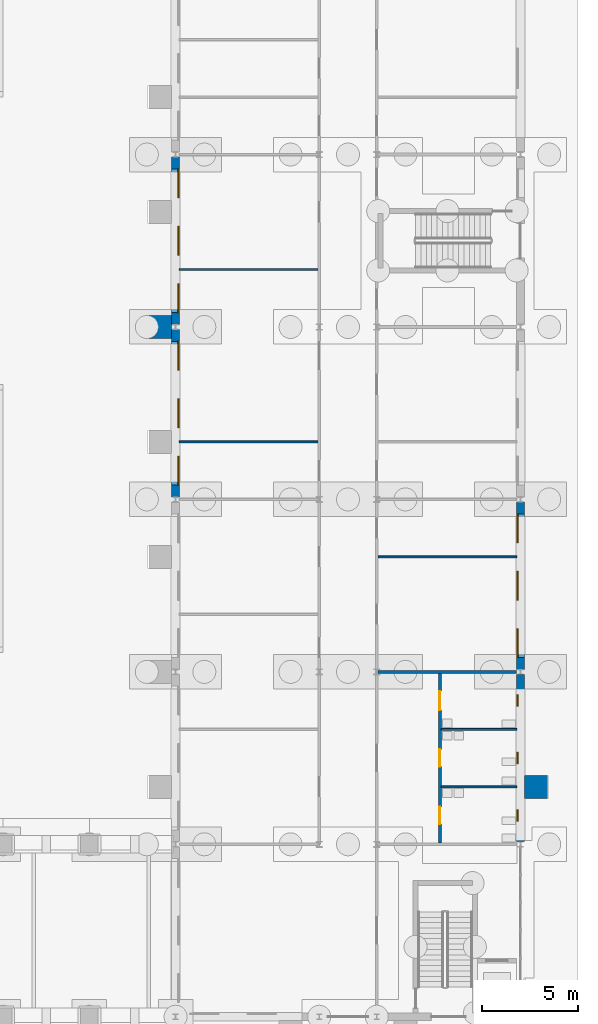
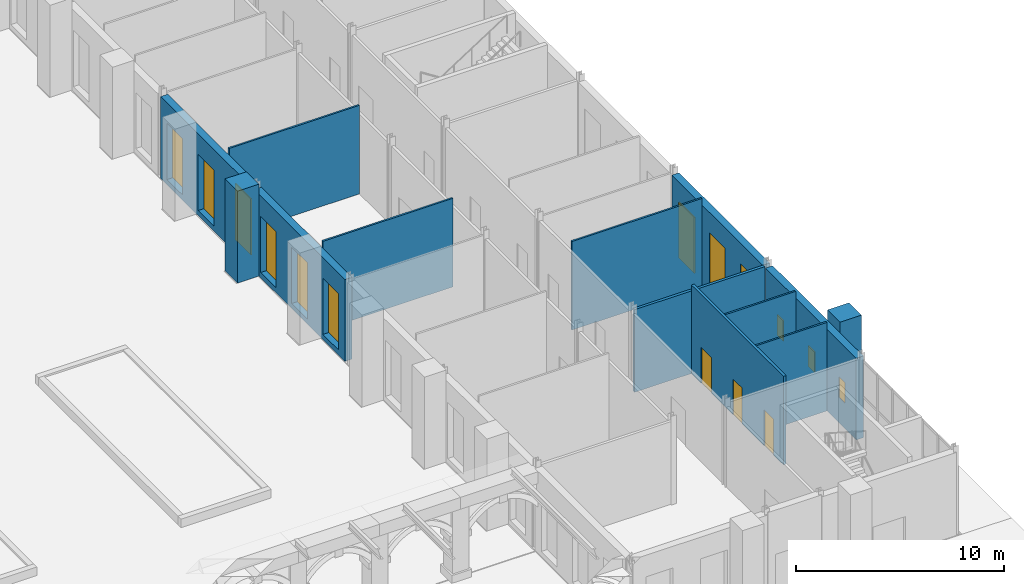
# One storey, part 102 of 168: 13 walls, 12 windows, 3 doors, 15 openings.
"""IFC4 building model written with IfcOpenShell, lengths in metres."""

from ifc_helpers import new_model, si_unit, direction, frame, frame_2d, origin, place, context, subcontext, project, spatial, rectangle, extrude, material, layer, layer_set, type_object, element, fill, save


model = new_model("IFC4")

# Units and contexts
model_context = context("Model", 3, precision=1e-05, world=origin(), true_north=direction((0.0, 1.0)))
body_context = subcontext(model_context, "Body", "Model", "MODEL_VIEW")
ifc_project = project(units=[si_unit("LENGTHUNIT", "METRE"), si_unit("AREAUNIT", "SQUARE_METRE"), si_unit("VOLUMEUNIT", "CUBIC_METRE"), si_unit("PLANEANGLEUNIT", "RADIAN"), si_unit("MASSUNIT", "GRAM", prefix="KILO")], contexts=[model_context])

# Site, building, storey
site_placement = place(None, origin())
site = spatial("IfcSite", under=ifc_project, at=site_placement, CompositionType="ELEMENT")
building_placement = place(site_placement, origin())
building = spatial("IfcBuilding", under=site, at=building_placement, Name="Golden Quay Civic Hall", CompositionType="ELEMENT")
storey_placement = place(building_placement, origin())
storey = spatial("IfcBuildingStorey", under=building, at=storey_placement, Name="L00", CompositionType="ELEMENT", Elevation=0.0)

# Wall, openings, windows
ifc_material_1 = material(Name="Brick, dark clay facing", Category="masonry")
ifc_layer_1 = layer(ifc_material_1, 0.39990234375)
ifc_layer_set_1 = layer_set([ifc_layer_1], Name="Brick external wall 400")
wall_type_1 = type_object("IfcWallType", Name="Brick external wall 400", PredefinedType="STANDARD", material=ifc_layer_set_1)
wall_1_placement = place(storey_placement, frame((153.0, 18.135009765625, 0.0), z_axis=(0.0, 0.0, 1.0), x_axis=(0.0, 1.0, 0.0)))
wall_1 = element("IfcWall", 1, at=wall_1_placement, inside=storey, type_object=wall_type_1, Name="Brick external wall 400 L00 14", PredefinedType="STANDARD", context=body_context, shape_type="SweptSolid", body=[
    extrude(rectangle(XDim=8.72998046875, YDim=0.39990234375, at=frame_2d((4.364990234375, 0.0))), origin(), (0.0, 0.0, 1.0), 4.800048828125),
])
opening_1_placement = place(wall_1_placement, frame((0.614990234375, 0.0, 0.300048828125)))
opening_1 = element("IfcOpeningElement", 2, at=opening_1_placement, cuts=wall_1, Name="Opening WN4", PredefinedType="OPENING", context=body_context, shape_type="SweptSolid", body=[
    extrude(rectangle(XDim=1.5, YDim=3.300048828125, at=frame_2d((0.75, 1.64990234375))), frame((0.0, 0.2099609375, 0.0), z_axis=(0.0, -1.0, 0.0), x_axis=(1.0, 0.0, 0.0)), (0.0, 0.0, 1.0), 0.419921875),
])
opening_2_placement = place(wall_1_placement, frame((3.614990234375, 0.0, 0.300048828125)))
opening_2 = element("IfcOpeningElement", 3, at=opening_2_placement, cuts=wall_1, Name="Opening WN4", PredefinedType="OPENING", context=body_context, shape_type="SweptSolid", body=[
    extrude(rectangle(XDim=1.5, YDim=3.300048828125, at=frame_2d((0.75, 1.64990234375))), frame((0.0, 0.2099609375, 0.0), z_axis=(0.0, -1.0, 0.0), x_axis=(1.0, 0.0, 0.0)), (0.0, 0.0, 1.0), 0.419921875),
])
opening_3_placement = place(wall_1_placement, frame((6.614990234375, 0.0, 0.300048828125)))
opening_3 = element("IfcOpeningElement", 4, at=opening_3_placement, cuts=wall_1, Name="Opening WN4", PredefinedType="OPENING", context=body_context, shape_type="SweptSolid", body=[
    extrude(rectangle(XDim=1.5, YDim=3.300048828125, at=frame_2d((0.75, 1.64990234375))), frame((0.0, 0.2099609375, 0.0), z_axis=(0.0, -1.0, 0.0), x_axis=(1.0, 0.0, 0.0)), (0.0, 0.0, 1.0), 0.419921875),
])
ifc_material_2 = material(Name="Aluminium frame, double glazed", Category="aluminium")
window_type_1 = type_object("IfcWindowType", Name="Tall ground-floor window 1500 x 3300", PartitioningType="SINGLE_PANEL", PredefinedType="WINDOW", material=ifc_material_2)
window_1_placement = place(opening_1_placement, origin())
window_1 = element("IfcWindow", 5, at=window_1_placement, inside=storey, type_object=window_type_1, Name="Tall ground-floor window 1500 x 3300 L00 28", OverallHeight=3.300048828125, OverallWidth=1.5, PartitioningType="SINGLE_PANEL", PredefinedType="WINDOW", context=body_context, shape_type="SweptSolid", body=[
    extrude(rectangle(XDim=1.5, YDim=3.300048828125, at=frame_2d((0.75, 1.64990234375))), frame((0.0, -0.119873046875, 0.0), z_axis=(0.0, -1.0, 0.0), x_axis=(1.0, 0.0, 0.0)), (0.0, 0.0, 1.0), 0.06005859375),
])
fill(opening_1, window_1)
window_2_placement = place(opening_2_placement, origin())
window_2 = element("IfcWindow", 6, at=window_2_placement, inside=storey, type_object=window_type_1, Name="Tall ground-floor window 1500 x 3300 L00 29", OverallHeight=3.300048828125, OverallWidth=1.5, PartitioningType="SINGLE_PANEL", PredefinedType="WINDOW", context=body_context, shape_type="SweptSolid", body=[
    extrude(rectangle(XDim=1.5, YDim=3.300048828125, at=frame_2d((0.75, 1.64990234375))), frame((0.0, -0.119873046875, 0.0), z_axis=(0.0, -1.0, 0.0), x_axis=(1.0, 0.0, 0.0)), (0.0, 0.0, 1.0), 0.06005859375),
])
fill(opening_2, window_2)
window_3_placement = place(opening_3_placement, origin())
window_3 = element("IfcWindow", 7, at=window_3_placement, inside=storey, type_object=window_type_1, Name="Tall ground-floor window 1500 x 3300 L00 30", OverallHeight=3.300048828125, OverallWidth=1.5, PartitioningType="SINGLE_PANEL", PredefinedType="WINDOW", context=body_context, shape_type="SweptSolid", body=[
    extrude(rectangle(XDim=1.5, YDim=3.300048828125, at=frame_2d((0.75, 1.64990234375))), frame((0.0, -0.119873046875, 0.0), z_axis=(0.0, -1.0, 0.0), x_axis=(1.0, 0.0, 0.0)), (0.0, 0.0, 1.0), 0.06005859375),
])
fill(opening_3, window_3)

wall_2_placement = place(storey_placement, frame((153.0, 27.135009765625, 0.0), z_axis=(0.0, 0.0, 1.0), x_axis=(0.0, 1.0, 0.0)))
wall_2 = element("IfcWall", 8, at=wall_2_placement, inside=storey, type_object=wall_type_1, Name="Brick external wall 400 L00 15", PredefinedType="STANDARD", context=body_context, shape_type="SweptSolid", body=[
    extrude(rectangle(XDim=8.72998046875, YDim=0.39990234375, at=frame_2d((4.364990234375, 0.0))), origin(), (0.0, 0.0, 1.0), 4.800048828125),
])
opening_4_placement = place(wall_2_placement, frame((0.614990234375, 0.0, 0.300048828125)))
opening_4 = element("IfcOpeningElement", 9, at=opening_4_placement, cuts=wall_2, Name="Opening WN4", PredefinedType="OPENING", context=body_context, shape_type="SweptSolid", body=[
    extrude(rectangle(XDim=1.5, YDim=3.300048828125, at=frame_2d((0.75, 1.64990234375))), frame((0.0, 0.2099609375, 0.0), z_axis=(0.0, -1.0, 0.0), x_axis=(1.0, 0.0, 0.0)), (0.0, 0.0, 1.0), 0.419921875),
])
opening_5_placement = place(wall_2_placement, frame((3.614990234375, 0.0, 0.300048828125)))
opening_5 = element("IfcOpeningElement", 10, at=opening_5_placement, cuts=wall_2, Name="Opening WN4", PredefinedType="OPENING", context=body_context, shape_type="SweptSolid", body=[
    extrude(rectangle(XDim=1.5, YDim=3.300048828125, at=frame_2d((0.75, 1.64990234375))), frame((0.0, 0.2099609375, 0.0), z_axis=(0.0, -1.0, 0.0), x_axis=(1.0, 0.0, 0.0)), (0.0, 0.0, 1.0), 0.419921875),
])
opening_6_placement = place(wall_2_placement, frame((6.614990234375, 0.0, 0.300048828125)))
opening_6 = element("IfcOpeningElement", 11, at=opening_6_placement, cuts=wall_2, Name="Opening WN4", PredefinedType="OPENING", context=body_context, shape_type="SweptSolid", body=[
    extrude(rectangle(XDim=1.5, YDim=3.300048828125, at=frame_2d((0.75, 1.64990234375))), frame((0.0, 0.2099609375, 0.0), z_axis=(0.0, -1.0, 0.0), x_axis=(1.0, 0.0, 0.0)), (0.0, 0.0, 1.0), 0.419921875),
])
window_4_placement = place(opening_4_placement, origin())
window_4 = element("IfcWindow", 12, at=window_4_placement, inside=storey, type_object=window_type_1, Name="Tall ground-floor window 1500 x 3300 L00 31", OverallHeight=3.300048828125, OverallWidth=1.5, PartitioningType="SINGLE_PANEL", PredefinedType="WINDOW", context=body_context, shape_type="SweptSolid", body=[
    extrude(rectangle(XDim=1.5, YDim=3.300048828125, at=frame_2d((0.75, 1.64990234375))), frame((0.0, -0.119873046875, 0.0), z_axis=(0.0, -1.0, 0.0), x_axis=(1.0, 0.0, 0.0)), (0.0, 0.0, 1.0), 0.06005859375),
])
fill(opening_4, window_4)
window_5_placement = place(opening_5_placement, origin())
window_5 = element("IfcWindow", 13, at=window_5_placement, inside=storey, type_object=window_type_1, Name="Tall ground-floor window 1500 x 3300 L00 32", OverallHeight=3.300048828125, OverallWidth=1.5, PartitioningType="SINGLE_PANEL", PredefinedType="WINDOW", context=body_context, shape_type="SweptSolid", body=[
    extrude(rectangle(XDim=1.5, YDim=3.300048828125, at=frame_2d((0.75, 1.64990234375))), frame((0.0, -0.119873046875, 0.0), z_axis=(0.0, -1.0, 0.0), x_axis=(1.0, 0.0, 0.0)), (0.0, 0.0, 1.0), 0.06005859375),
])
fill(opening_5, window_5)
window_6_placement = place(opening_6_placement, origin())
window_6 = element("IfcWindow", 14, at=window_6_placement, inside=storey, type_object=window_type_1, Name="Tall ground-floor window 1500 x 3300 L00 33", OverallHeight=3.300048828125, OverallWidth=1.5, PartitioningType="SINGLE_PANEL", PredefinedType="WINDOW", context=body_context, shape_type="SweptSolid", body=[
    extrude(rectangle(XDim=1.5, YDim=3.300048828125, at=frame_2d((0.75, 1.64990234375))), frame((0.0, -0.119873046875, 0.0), z_axis=(0.0, -1.0, 0.0), x_axis=(1.0, 0.0, 0.0)), (0.0, 0.0, 1.0), 0.06005859375),
])
fill(opening_6, window_6)

wall_3_placement = place(storey_placement, frame((171.0, 8.864990234375, 0.0), z_axis=(0.0, 0.0, 1.0), x_axis=(0.0, -1.0, 0.0)))
wall_3 = element("IfcWall", 15, at=wall_3_placement, inside=storey, type_object=wall_type_1, Name="Brick external wall 400 L00 20", PredefinedType="STANDARD", context=body_context, shape_type="SweptSolid", body=[
    extrude(rectangle(XDim=8.72998046875, YDim=0.39990234375, at=frame_2d((4.364990234375, 0.0))), origin(), (0.0, 0.0, 1.0), 4.800048828125),
])
opening_7_placement = place(wall_3_placement, frame((7.06494140625, 0.0, 1.5)))
opening_7 = element("IfcOpeningElement", 16, at=opening_7_placement, cuts=wall_3, Name="Opening WN1", PredefinedType="OPENING", context=body_context, shape_type="SweptSolid", body=[
    extrude(rectangle(XDim=0.60009765625, YDim=1.199951171875, at=frame_2d((0.300048828125, 0.60009765625))), frame((0.0, 0.2099609375, 0.0), z_axis=(0.0, -1.0, 0.0), x_axis=(1.0, 0.0, 0.0)), (0.0, 0.0, 1.0), 0.419921875),
])
opening_8_placement = place(wall_3_placement, frame((4.06494140625, 0.0, 1.5)))
opening_8 = element("IfcOpeningElement", 17, at=opening_8_placement, cuts=wall_3, Name="Opening WN1", PredefinedType="OPENING", context=body_context, shape_type="SweptSolid", body=[
    extrude(rectangle(XDim=0.60009765625, YDim=1.199951171875, at=frame_2d((0.300048828125, 0.60009765625))), frame((0.0, 0.2099609375, 0.0), z_axis=(0.0, -1.0, 0.0), x_axis=(1.0, 0.0, 0.0)), (0.0, 0.0, 1.0), 0.419921875),
])
opening_9_placement = place(wall_3_placement, frame((1.06494140625, 0.0, 1.5)))
opening_9 = element("IfcOpeningElement", 18, at=opening_9_placement, cuts=wall_3, Name="Opening WN1", PredefinedType="OPENING", context=body_context, shape_type="SweptSolid", body=[
    extrude(rectangle(XDim=0.60009765625, YDim=1.199951171875, at=frame_2d((0.300048828125, 0.60009765625))), frame((0.0, 0.2099609375, 0.0), z_axis=(0.0, -1.0, 0.0), x_axis=(1.0, 0.0, 0.0)), (0.0, 0.0, 1.0), 0.419921875),
])
ifc_material_3 = material(Name="Aluminium frame, double glazed", Category="aluminium")
window_type_2 = type_object("IfcWindowType", Name="WC window 600 x 1200", PartitioningType="SINGLE_PANEL", PredefinedType="WINDOW", material=ifc_material_3)
window_7_placement = place(opening_7_placement, origin())
window_7 = element("IfcWindow", 19, at=window_7_placement, inside=storey, type_object=window_type_2, Name="WC window 600 x 1200 L00 16", OverallHeight=1.199951171875, OverallWidth=0.60009765625, PartitioningType="SINGLE_PANEL", PredefinedType="WINDOW", context=body_context, shape_type="SweptSolid", body=[
    extrude(rectangle(XDim=0.60009765625, YDim=1.199951171875, at=frame_2d((0.300048828125, 0.60009765625))), frame((0.0, -0.119873046875, 0.0), z_axis=(0.0, -1.0, 0.0), x_axis=(1.0, 0.0, 0.0)), (0.0, 0.0, 1.0), 0.06005859375),
])
fill(opening_7, window_7)
window_8_placement = place(opening_8_placement, origin())
window_8 = element("IfcWindow", 20, at=window_8_placement, inside=storey, type_object=window_type_2, Name="WC window 600 x 1200 L00 17", OverallHeight=1.199951171875, OverallWidth=0.60009765625, PartitioningType="SINGLE_PANEL", PredefinedType="WINDOW", context=body_context, shape_type="SweptSolid", body=[
    extrude(rectangle(XDim=0.60009765625, YDim=1.199951171875, at=frame_2d((0.300048828125, 0.60009765625))), frame((0.0, -0.119873046875, 0.0), z_axis=(0.0, -1.0, 0.0), x_axis=(1.0, 0.0, 0.0)), (0.0, 0.0, 1.0), 0.06005859375),
])
fill(opening_8, window_8)
window_9_placement = place(opening_9_placement, origin())
window_9 = element("IfcWindow", 21, at=window_9_placement, inside=storey, type_object=window_type_2, Name="WC window 600 x 1200 L00 18", OverallHeight=1.199951171875, OverallWidth=0.60009765625, PartitioningType="SINGLE_PANEL", PredefinedType="WINDOW", context=body_context, shape_type="SweptSolid", body=[
    extrude(rectangle(XDim=0.60009765625, YDim=1.199951171875, at=frame_2d((0.300048828125, 0.60009765625))), frame((0.0, -0.119873046875, 0.0), z_axis=(0.0, -1.0, 0.0), x_axis=(1.0, 0.0, 0.0)), (0.0, 0.0, 1.0), 0.06005859375),
])
fill(opening_9, window_9)

wall_4_placement = place(storey_placement, frame((171.0, 17.864990234375, 0.0), z_axis=(0.0, 0.0, 1.0), x_axis=(0.0, -1.0, 0.0)))
wall_4 = element("IfcWall", 22, at=wall_4_placement, inside=storey, type_object=wall_type_1, Name="Brick external wall 400 L00 21", PredefinedType="STANDARD", context=body_context, shape_type="SweptSolid", body=[
    extrude(rectangle(XDim=8.72998046875, YDim=0.39990234375, at=frame_2d((4.364990234375, 0.0))), origin(), (0.0, 0.0, 1.0), 4.800048828125),
])
opening_10_placement = place(wall_4_placement, frame((6.614990234375, 0.0, 0.300048828125)))
opening_10 = element("IfcOpeningElement", 23, at=opening_10_placement, cuts=wall_4, Name="Opening WN4", PredefinedType="OPENING", context=body_context, shape_type="SweptSolid", body=[
    extrude(rectangle(XDim=1.5, YDim=3.300048828125, at=frame_2d((0.75, 1.64990234375))), frame((0.0, 0.2099609375, 0.0), z_axis=(0.0, -1.0, 0.0), x_axis=(1.0, 0.0, 0.0)), (0.0, 0.0, 1.0), 0.419921875),
])
opening_11_placement = place(wall_4_placement, frame((3.614990234375, 0.0, 0.300048828125)))
opening_11 = element("IfcOpeningElement", 24, at=opening_11_placement, cuts=wall_4, Name="Opening WN4", PredefinedType="OPENING", context=body_context, shape_type="SweptSolid", body=[
    extrude(rectangle(XDim=1.5, YDim=3.300048828125, at=frame_2d((0.75, 1.64990234375))), frame((0.0, 0.2099609375, 0.0), z_axis=(0.0, -1.0, 0.0), x_axis=(1.0, 0.0, 0.0)), (0.0, 0.0, 1.0), 0.419921875),
])
opening_12_placement = place(wall_4_placement, frame((0.614990234375, 0.0, 0.300048828125)))
opening_12 = element("IfcOpeningElement", 25, at=opening_12_placement, cuts=wall_4, Name="Opening WN4", PredefinedType="OPENING", context=body_context, shape_type="SweptSolid", body=[
    extrude(rectangle(XDim=1.5, YDim=3.300048828125, at=frame_2d((0.75, 1.64990234375))), frame((0.0, 0.2099609375, 0.0), z_axis=(0.0, -1.0, 0.0), x_axis=(1.0, 0.0, 0.0)), (0.0, 0.0, 1.0), 0.419921875),
])
window_10_placement = place(opening_10_placement, origin())
window_10 = element("IfcWindow", 26, at=window_10_placement, inside=storey, type_object=window_type_1, Name="Tall ground-floor window 1500 x 3300 L00 42", OverallHeight=3.300048828125, OverallWidth=1.5, PartitioningType="SINGLE_PANEL", PredefinedType="WINDOW", context=body_context, shape_type="SweptSolid", body=[
    extrude(rectangle(XDim=1.5, YDim=3.300048828125, at=frame_2d((0.75, 1.64990234375))), frame((0.0, -0.119873046875, 0.0), z_axis=(0.0, -1.0, 0.0), x_axis=(1.0, 0.0, 0.0)), (0.0, 0.0, 1.0), 0.06005859375),
])
fill(opening_10, window_10)
window_11_placement = place(opening_11_placement, origin())
window_11 = element("IfcWindow", 27, at=window_11_placement, inside=storey, type_object=window_type_1, Name="Tall ground-floor window 1500 x 3300 L00 43", OverallHeight=3.300048828125, OverallWidth=1.5, PartitioningType="SINGLE_PANEL", PredefinedType="WINDOW", context=body_context, shape_type="SweptSolid", body=[
    extrude(rectangle(XDim=1.5, YDim=3.300048828125, at=frame_2d((0.75, 1.64990234375))), frame((0.0, -0.119873046875, 0.0), z_axis=(0.0, -1.0, 0.0), x_axis=(1.0, 0.0, 0.0)), (0.0, 0.0, 1.0), 0.06005859375),
])
fill(opening_11, window_11)
window_12_placement = place(opening_12_placement, origin())
window_12 = element("IfcWindow", 28, at=window_12_placement, inside=storey, type_object=window_type_1, Name="Tall ground-floor window 1500 x 3300 L00 44", OverallHeight=3.300048828125, OverallWidth=1.5, PartitioningType="SINGLE_PANEL", PredefinedType="WINDOW", context=body_context, shape_type="SweptSolid", body=[
    extrude(rectangle(XDim=1.5, YDim=3.300048828125, at=frame_2d((0.75, 1.64990234375))), frame((0.0, -0.119873046875, 0.0), z_axis=(0.0, -1.0, 0.0), x_axis=(1.0, 0.0, 0.0)), (0.0, 0.0, 1.0), 0.06005859375),
])
fill(opening_12, window_12)

# Walls
ifc_material_4 = material(Name="Brick, dark clay facing", Category="masonry")
ifc_layer_2 = layer(ifc_material_4, 1.199951171875)
ifc_layer_set_2 = layer_set([ifc_layer_2], Name="Brick pilaster 1200 x 1200")
wall_type_2 = type_object("IfcWallType", Name="Brick pilaster 1200 x 1200", PredefinedType="STANDARD", material=ifc_layer_set_2)
for number, where, z_axis, x_axis, name in (
    (29, (152.199951171875, 26.39990234375, 0.0), (0.0, 0.0, 1.0), (0.0, 1.0, 0.0), "Brick pilaster 1200 x 1200 L00 13"),
    (30, (171.800048828125, 2.39990234375, 0.0), (0.0, 0.0, 1.0), (0.0, 1.0, 0.0), "Brick pilaster 1200 x 1200 L00 20"),
):
    element("IfcWall", number, at=place(storey_placement, frame(where, z_axis=z_axis, x_axis=x_axis)), inside=storey, type_object=wall_type_2, Name=name, PredefinedType="STANDARD", context=body_context, shape_type="SweptSolid", body=[
        extrude(rectangle(XDim=1.2001953125, YDim=1.199951171875, at=frame_2d((0.60009765625, 0.0))), origin(), (0.0, 0.0, 1.0), 5.39990234375),
    ])
ifc_material_5 = material(Name="Plasterboard on steel studs", Category="steel")
ifc_layer_3 = layer(ifc_material_5, 0.10009765625)
ifc_layer_set_3 = layer_set([ifc_layer_3], Name="Partition 100 stud")
wall_type_3 = type_object("IfcWallType", Name="Partition 100 stud", PredefinedType="PARTITIONING", material=ifc_layer_set_3)
for number, where, z_axis, x_axis, name in (
    (31, (163.574951171875, 15.0, 0.0), (0.0, 0.0, 1.0), (1.0, 0.0, 0.0), "Partition L00-001"),
    (32, (153.199951171875, 21.0, 0.0), (0.0, 0.0, 1.0), (1.0, 0.0, 0.0), "Partition L00-012"),
    (33, (153.199951171875, 30.0, 0.0), (0.0, 0.0, 1.0), (1.0, 0.0, 0.0), "Partition L00-013"),
):
    element("IfcWall", number, at=place(storey_placement, frame(where, z_axis=z_axis, x_axis=x_axis)), inside=storey, type_object=wall_type_3, Name=name, PredefinedType="PARTITIONING", context=body_context, shape_type="SweptSolid", body=[
        extrude(rectangle(XDim=7.22509765625, YDim=0.10009765625, at=frame_2d((3.612548828125, 0.0))), origin(), (0.0, 0.0, 1.0), 5.199951171875),
    ])
for number, where, z_axis, x_axis, name in (
    (34, (166.875, 3.0, 0.0), (0.0, 0.0, 1.0), (1.0, 0.0, 0.0), "Partition L00-023"),
    (35, (166.875, 6.0, 0.0), (0.0, 0.0, 1.0), (1.0, 0.0, 0.0), "Partition L00-024"),
):
    element("IfcWall", number, at=place(storey_placement, frame(where, z_axis=z_axis, x_axis=x_axis)), inside=storey, type_object=wall_type_3, Name=name, PredefinedType="PARTITIONING", context=body_context, shape_type="SweptSolid", body=[
        extrude(rectangle(XDim=3.925048828125, YDim=0.10009765625, at=frame_2d((1.96240234375, 0.0))), origin(), (0.0, 0.0, 1.0), 5.199951171875),
    ])
ifc_material_6 = material(Name="Plasterboard on steel studs", Category="steel")
ifc_layer_4 = layer(ifc_material_6, 0.14990234375)
ifc_layer_set_4 = layer_set([ifc_layer_4], Name="Partition 150 stud fire EI 60")
wall_type_4 = type_object("IfcWallType", Name="Partition 150 stud fire EI 60", PredefinedType="PARTITIONING", material=ifc_layer_set_4)
wall_5_placement = place(storey_placement, frame((163.574951171875, 9.0, 0.0), z_axis=(0.0, 0.0, 1.0), x_axis=(1.0, 0.0, 0.0)))
element("IfcWall", 36, at=wall_5_placement, inside=storey, type_object=wall_type_4, Name="Partition L00-000", PredefinedType="PARTITIONING", context=body_context, shape_type="SweptSolid", body=[
    extrude(rectangle(XDim=7.22509765625, YDim=0.14990234375, at=frame_2d((3.612548828125, 0.0))), origin(), (0.0, 0.0, 1.0), 4.85009765625),
])

# Wall, openings, doors
wall_6_placement = place(storey_placement, frame((166.800048828125, 0.074951171875, 0.0), z_axis=(0.0, 0.0, 1.0), x_axis=(0.0, 1.0, 0.0)))
wall_6 = element("IfcWall", 37, at=wall_6_placement, inside=storey, type_object=wall_type_4, Name="Partition L00-022", PredefinedType="PARTITIONING", context=body_context, shape_type="SweptSolid", body=[
    extrude(rectangle(XDim=8.85009765625, YDim=0.14990234375, at=frame_2d((4.425048828125, 0.0))), origin(), (0.0, 0.0, 1.0), 5.199951171875),
])
opening_13_placement = place(wall_6_placement, frame((0.97509765625, 0.0, 0.0)))
opening_13 = element("IfcOpeningElement", 38, at=opening_13_placement, cuts=wall_6, Name="Opening L00-D163", PredefinedType="OPENING", context=body_context, shape_type="SweptSolid", body=[
    extrude(rectangle(XDim=0.89990234375, YDim=2.10009765625, at=frame_2d((0.449951171875, 1.050048828125))), frame((0.0, 0.0849609375, 0.0), z_axis=(0.0, -1.0, 0.0), x_axis=(1.0, 0.0, 0.0)), (0.0, 0.0, 1.0), 0.169921875),
])
opening_14_placement = place(wall_6_placement, frame((3.97509765625, 0.0, 0.0)))
opening_14 = element("IfcOpeningElement", 39, at=opening_14_placement, cuts=wall_6, Name="Opening L00-D164", PredefinedType="OPENING", context=body_context, shape_type="SweptSolid", body=[
    extrude(rectangle(XDim=0.89990234375, YDim=2.10009765625, at=frame_2d((0.449951171875, 1.050048828125))), frame((0.0, 0.0849609375, 0.0), z_axis=(0.0, -1.0, 0.0), x_axis=(1.0, 0.0, 0.0)), (0.0, 0.0, 1.0), 0.169921875),
])
opening_15_placement = place(wall_6_placement, frame((6.925048828125, 0.0, 0.0)))
opening_15 = element("IfcOpeningElement", 40, at=opening_15_placement, cuts=wall_6, Name="Opening L00-D165", PredefinedType="OPENING", context=body_context, shape_type="SweptSolid", body=[
    extrude(rectangle(XDim=1.0, YDim=2.10009765625, at=frame_2d((0.5, 1.050048828125))), frame((0.0, 0.0849609375, 0.0), z_axis=(0.0, -1.0, 0.0), x_axis=(1.0, 0.0, 0.0)), (0.0, 0.0, 1.0), 0.169921875),
])
ifc_material_7 = material(Name="Timber", Category="wood")
door_type_1 = type_object("IfcDoorType", Name="Timber door 1000 x 2100", OperationType="SINGLE_SWING_LEFT", PredefinedType="DOOR", material=ifc_material_7)
door_1_placement = place(opening_15_placement, frame((1.0, 0.0, 0.0), z_axis=(0.0, 0.0, 1.0), x_axis=(-1.0, 0.0, 0.0)))
door_1 = element("IfcDoor", 41, at=door_1_placement, inside=storey, type_object=door_type_1, Name="Door L00-D165", OperationType="SINGLE_SWING_RIGHT", OverallHeight=2.10009765625, OverallWidth=1.0, PredefinedType="DOOR", context=body_context, shape_type="SweptSolid", body=[
    extrude(rectangle(XDim=1.0, YDim=2.10009765625, at=frame_2d((0.5, 1.050048828125))), frame((0.0, 0.025146484375, 0.0), z_axis=(0.0, -1.0, 0.0), x_axis=(1.0, 0.0, 0.0)), (0.0, 0.0, 1.0), 0.050048828125),
])
fill(opening_15, door_1)
ifc_material_8 = material(Name="Timber", Category="wood")
door_type_2 = type_object("IfcDoorType", Name="Timber door 900 x 2100", OperationType="SINGLE_SWING_LEFT", PredefinedType="DOOR", material=ifc_material_8)
door_2_placement = place(opening_13_placement, frame((0.89990234375, 0.0, 0.0), z_axis=(0.0, 0.0, 1.0), x_axis=(-1.0, 0.0, 0.0)))
door_2 = element("IfcDoor", 42, at=door_2_placement, inside=storey, type_object=door_type_2, Name="Door L00-D163", OperationType="SINGLE_SWING_RIGHT", OverallHeight=2.10009765625, OverallWidth=0.89990234375, PredefinedType="DOOR", context=body_context, shape_type="SweptSolid", body=[
    extrude(rectangle(XDim=0.89990234375, YDim=2.10009765625, at=frame_2d((0.449951171875, 1.050048828125))), frame((0.0, 0.025146484375, 0.0), z_axis=(0.0, -1.0, 0.0), x_axis=(1.0, 0.0, 0.0)), (0.0, 0.0, 1.0), 0.050048828125),
])
fill(opening_13, door_2)
door_3_placement = place(opening_14_placement, frame((0.89990234375, 0.0, 0.0), z_axis=(0.0, 0.0, 1.0), x_axis=(-1.0, 0.0, 0.0)))
door_3 = element("IfcDoor", 43, at=door_3_placement, inside=storey, type_object=door_type_2, Name="Door L00-D164", OperationType="SINGLE_SWING_RIGHT", OverallHeight=2.10009765625, OverallWidth=0.89990234375, PredefinedType="DOOR", context=body_context, shape_type="SweptSolid", body=[
    extrude(rectangle(XDim=0.89990234375, YDim=2.10009765625, at=frame_2d((0.449951171875, 1.050048828125))), frame((0.0, 0.025146484375, 0.0), z_axis=(0.0, -1.0, 0.0), x_axis=(1.0, 0.0, 0.0)), (0.0, 0.0, 1.0), 0.050048828125),
])
fill(opening_14, door_3)

save(model, "model.ifc")
